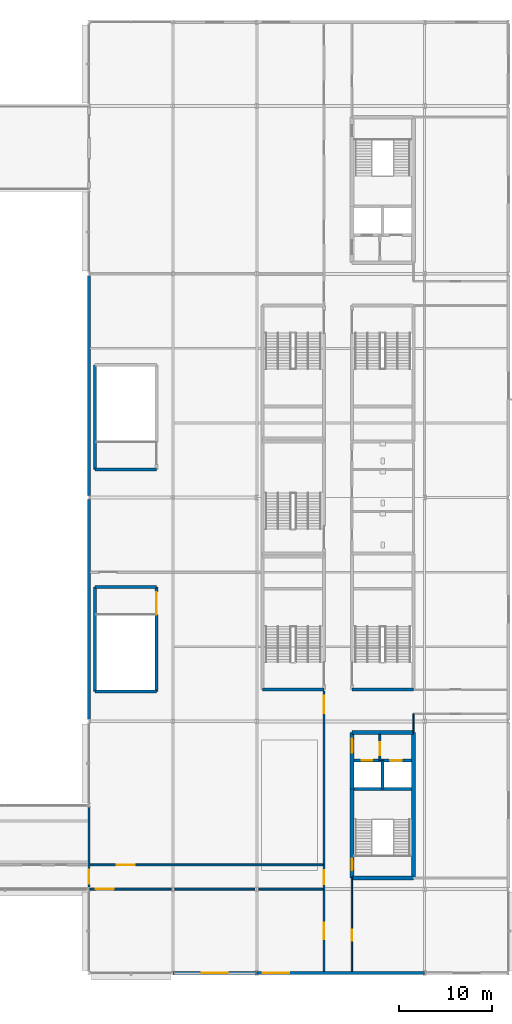
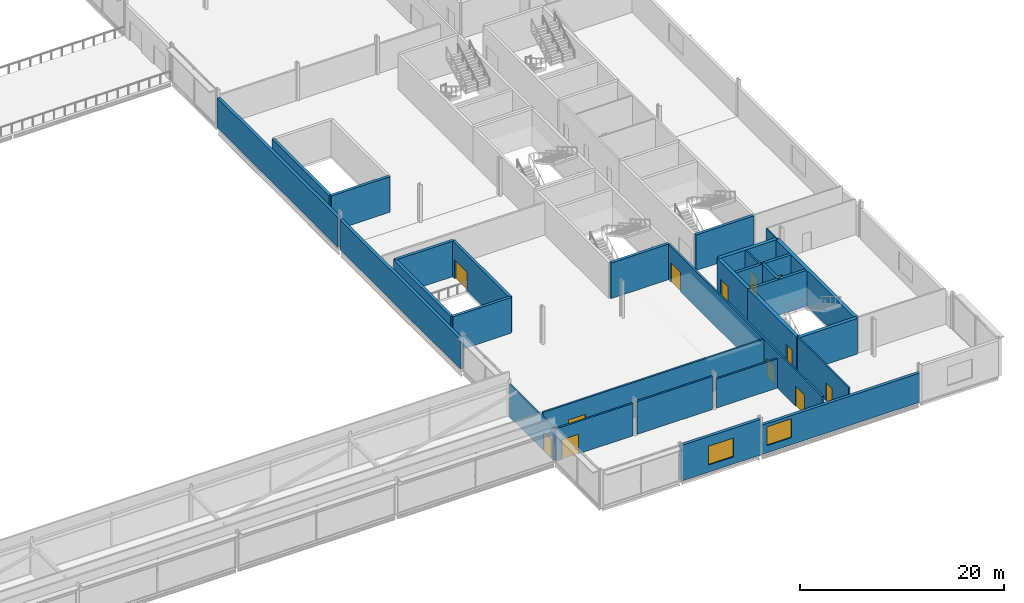
# One storey, part 43 of 73: 30 walls, 13 doors, 2 windows, 15 openings.
"""IFC4 building model written with IfcOpenShell, lengths in metres."""

from ifc_helpers import new_model, si_unit, direction, frame, frame_2d, origin, place, context, subcontext, project, spatial, rectangle, extrude, material, layer, layer_set, type_object, element, fill, save


model = new_model("IFC4")

# Units and contexts
model_context = context("Model", 3, precision=1e-05, world=origin(), true_north=direction((0.0, 1.0)))
body_context = subcontext(model_context, "Body", "Model", "MODEL_VIEW")
ifc_project = project(units=[si_unit("LENGTHUNIT", "METRE"), si_unit("AREAUNIT", "SQUARE_METRE"), si_unit("VOLUMEUNIT", "CUBIC_METRE"), si_unit("PLANEANGLEUNIT", "RADIAN"), si_unit("MASSUNIT", "GRAM", prefix="KILO")], contexts=[model_context])

# Site, building, storey
site_placement = place(None, origin())
site = spatial("IfcSite", under=ifc_project, at=site_placement, CompositionType="ELEMENT")
building_placement = place(site_placement, origin())
building = spatial("IfcBuilding", under=site, at=building_placement, Name="Kisiwana Market Hall", CompositionType="ELEMENT")
storey_placement = place(building_placement, frame((0.0, 0.0, 33.300048828125)))
storey = spatial("IfcBuildingStorey", under=building, at=storey_placement, Name="L07", CompositionType="ELEMENT", Elevation=33.300048828125)

# Wall, opening, door
ifc_material_1 = material(Name="Masonry blockwork", Category="masonry")
ifc_layer_1 = layer(ifc_material_1, 0.199951171875, Name="Plastered fire compartment block wall")
ifc_layer_set_1 = layer_set([ifc_layer_1], Name="WL-COMP-200")
wall_type_1 = type_object("IfcWallType", Name="WL-COMP-200", PredefinedType="PARTITIONING", material=ifc_layer_set_1)
wall_1_placement = place(storey_placement, frame((184.199951171875, 31.820068359375, 0.0), z_axis=(0.0, 0.0, 1.0), x_axis=(0.0, 1.0, 0.0)))
wall_1 = element("IfcWall", 1, at=wall_1_placement, inside=storey, type_object=wall_type_1, Name="Core E2 firefighting lobby wall W-2206", PredefinedType="PARTITIONING", context=body_context, shape_type="SweptSolid", body=[
    extrude(rectangle(XDim=2.780029296875, YDim=0.199951171875, at=frame_2d((1.39013671875, 0.0))), origin(), (0.0, 0.0, 1.0), 4.2548828125),
])
opening_1_placement = place(wall_1_placement, frame((0.550048828125, 0.0, 0.0)))
opening_1 = element("IfcOpeningElement", 2, at=opening_1_placement, cuts=wall_1, Name="Opening DR-L07-009", PredefinedType="OPENING", context=body_context, shape_type="SweptSolid", body=[
    extrude(rectangle(XDim=1.39990234375, YDim=2.25, at=frame_2d((0.699951171875, 1.125))), frame((0.0, 0.11181640625, 0.0), z_axis=(0.0, -1.0, 0.0), x_axis=(1.0, 0.0, 0.0)), (0.0, 0.0, 1.0), 0.223876953125),
])
ifc_material_2 = material(Name="Steel S275", Category="steel")
door_type_1 = type_object("IfcDoorType", Name="DR-FFLOB-FD120-1400", OperationType="DOUBLE_DOOR_SINGLE_SWING", PredefinedType="DOOR", material=ifc_material_2)
door_1_placement = place(opening_1_placement, origin())
door_1 = element("IfcDoor", 3, at=door_1_placement, inside=storey, type_object=door_type_1, Name="Firefighting Lift Lobby E2 Door (L07)", OperationType="DOUBLE_DOOR_SINGLE_SWING", OverallHeight=2.25, OverallWidth=1.39990234375, PredefinedType="DOOR", context=body_context, shape_type="SweptSolid", body=[
    extrude(rectangle(XDim=1.39990234375, YDim=2.25, at=frame_2d((0.699951171875, 1.125))), frame((0.0, 0.02490234375, 0.0), z_axis=(0.0, -1.0, 0.0), x_axis=(1.0, 0.0, 0.0)), (0.0, 0.0, 1.0), 0.050048828125),
])
fill(opening_1, door_1)

wall_2_placement = place(storey_placement, frame((153.0849609375, 18.0, 0.0), z_axis=(0.0, 0.0, 1.0), x_axis=(1.0, 0.0, 0.0)))
wall_2 = element("IfcWall", 4, at=wall_2_placement, inside=storey, type_object=wall_type_1, Name="Interior partition W-2247", PredefinedType="PARTITIONING", context=body_context, shape_type="SweptSolid", body=[
    extrude(rectangle(XDim=8.715087890625, YDim=0.199951171875, at=frame_2d((4.357421875, 0.0))), origin(), (0.0, 0.0, 1.0), 3.87158203125),
])
opening_2_placement = place(wall_2_placement, frame((0.64990234375, 0.0, 0.0)))
opening_2 = element("IfcOpeningElement", 5, at=opening_2_placement, cuts=wall_2, Name="Opening DR-L07-054", PredefinedType="OPENING", context=body_context, shape_type="SweptSolid", body=[
    extrude(rectangle(XDim=1.89990234375, YDim=2.35009765625, at=frame_2d((0.949951171875, 1.175048828125))), frame((0.0, 0.11181640625, 0.0), z_axis=(0.0, -1.0, 0.0), x_axis=(1.0, 0.0, 0.0)), (0.0, 0.0, 1.0), 0.223876953125),
])
ifc_material_3 = material(Name="Steel S275", Category="steel")
door_type_2 = type_object("IfcDoorType", Name="DR-HALL-1900", OperationType="DOUBLE_DOOR_SINGLE_SWING", PredefinedType="DOOR", material=ifc_material_3)
door_2_placement = place(opening_2_placement, frame((1.89990234375, 0.0, 0.0), z_axis=(0.0, 0.0, 1.0), x_axis=(-1.0, 0.0, 0.0)))
door_2 = element("IfcDoor", 6, at=door_2_placement, inside=storey, type_object=door_type_2, Name="L07 E Skybridge Collaboration Lounge Exit Door", OperationType="DOUBLE_DOOR_SINGLE_SWING", OverallHeight=2.35009765625, OverallWidth=1.89990234375, PredefinedType="DOOR", context=body_context, shape_type="SweptSolid", body=[
    extrude(rectangle(XDim=1.89990234375, YDim=2.35009765625, at=frame_2d((0.949951171875, 1.175048828125))), frame((0.0, 0.02490234375, 0.0), z_axis=(0.0, -1.0, 0.0), x_axis=(1.0, 0.0, 0.0)), (0.0, 0.0, 1.0), 0.050048828125),
])
fill(opening_2, door_2)

# Walls
wall_3_placement = place(storey_placement, frame((162.199951171875, 18.0, 0.0), z_axis=(0.0, 0.0, 1.0), x_axis=(1.0, 0.0, 0.0)))
element("IfcWall", 7, at=wall_3_placement, inside=storey, type_object=wall_type_1, Name="Interior partition W-2248", PredefinedType="PARTITIONING", context=body_context, shape_type="SweptSolid", body=[
    extrude(rectangle(XDim=8.574951171875, YDim=0.199951171875, at=frame_2d((4.28759765625, 0.0))), origin(), (0.0, 0.0, 1.0), 3.95166015625),
])
wall_4_placement = place(storey_placement, frame((171.22509765625, 18.0, 0.0), z_axis=(0.0, 0.0, 1.0), x_axis=(1.0, 0.0, 0.0)))
element("IfcWall", 8, at=wall_4_placement, inside=storey, type_object=wall_type_1, Name="Interior partition W-2249", PredefinedType="PARTITIONING", context=body_context, shape_type="SweptSolid", body=[
    extrude(rectangle(XDim=6.875, YDim=0.199951171875, at=frame_2d((3.4375, 0.0))), origin(), (0.0, 0.0, 1.0), 3.49267578125),
])

# Wall, opening, door
wall_5_placement = place(storey_placement, frame((153.0849609375, 20.60009765625, 0.0), z_axis=(0.0, 0.0, 1.0), x_axis=(1.0, 0.0, 0.0)))
wall_5 = element("IfcWall", 9, at=wall_5_placement, inside=storey, type_object=wall_type_1, Name="Interior partition W-2250", PredefinedType="PARTITIONING", context=body_context, shape_type="SweptSolid", body=[
    extrude(rectangle(XDim=25.01513671875, YDim=0.199951171875, at=frame_2d((12.507568359375, 0.0))), origin(), (0.0, 0.0, 1.0), 4.2548828125),
])
opening_3_placement = place(wall_5_placement, frame((2.89501953125, 0.0, 0.0)))
opening_3 = element("IfcOpeningElement", 10, at=opening_3_placement, cuts=wall_5, Name="Opening DR-L07-055", PredefinedType="OPENING", context=body_context, shape_type="SweptSolid", body=[
    extrude(rectangle(XDim=1.89990234375, YDim=2.35009765625, at=frame_2d((0.949951171875, 1.175048828125))), frame((0.0, 0.11181640625, 0.0), z_axis=(0.0, -1.0, 0.0), x_axis=(1.0, 0.0, 0.0)), (0.0, 0.0, 1.0), 0.223876953125),
])
door_3_placement = place(opening_3_placement, origin())
door_3 = element("IfcDoor", 11, at=door_3_placement, inside=storey, type_object=door_type_2, Name="L07 E Staff Dining Canteen Exit Door", OperationType="DOUBLE_DOOR_SINGLE_SWING", OverallHeight=2.35009765625, OverallWidth=1.89990234375, PredefinedType="DOOR", context=body_context, shape_type="SweptSolid", body=[
    extrude(rectangle(XDim=1.89990234375, YDim=2.35009765625, at=frame_2d((0.949951171875, 1.175048828125))), frame((0.0, 0.02490234375, 0.0), z_axis=(0.0, -1.0, 0.0), x_axis=(1.0, 0.0, 0.0)), (0.0, 0.0, 1.0), 0.050048828125),
])
fill(opening_3, door_3)

# Wall, openings, doors
wall_6_placement = place(storey_placement, frame((178.199951171875, 9.169921875, 0.0), z_axis=(0.0, 0.0, 1.0), x_axis=(0.0, 1.0, 0.0)))
wall_6 = element("IfcWall", 12, at=wall_6_placement, inside=storey, type_object=wall_type_1, Name="Interior partition W-2255", PredefinedType="PARTITIONING", context=body_context, shape_type="SweptSolid", body=[
    extrude(rectangle(XDim=30.070068359375, YDim=0.199951171875, at=frame_2d((15.03515625, 0.0))), origin(), (0.0, 0.0, 1.0), 4.2548828125),
])
opening_4_placement = place(wall_6_placement, frame((3.449951171875, 0.0, 0.0)))
opening_4 = element("IfcOpeningElement", 13, at=opening_4_placement, cuts=wall_6, Name="Opening DR-L07-057", PredefinedType="OPENING", context=body_context, shape_type="SweptSolid", body=[
    extrude(rectangle(XDim=1.760009765625, YDim=2.35009765625, at=frame_2d((0.8798828125, 1.175048828125))), frame((0.0, 0.11181640625, 0.0), z_axis=(0.0, -1.0, 0.0), x_axis=(1.0, 0.0, 0.0)), (0.0, 0.0, 1.0), 0.223876953125),
])
opening_5_placement = place(wall_6_placement, frame((9.3798828125, 0.0, 0.0)))
opening_5 = element("IfcOpeningElement", 14, at=opening_5_placement, cuts=wall_6, Name="Opening DR-L07-058", PredefinedType="OPENING", context=body_context, shape_type="SweptSolid", body=[
    extrude(rectangle(XDim=1.5, YDim=2.199951171875, at=frame_2d((0.75, 1.10009765625))), frame((0.0, 0.11181640625, 0.0), z_axis=(0.0, -1.0, 0.0), x_axis=(1.0, 0.0, 0.0)), (0.0, 0.0, 1.0), 0.223876953125),
])
opening_6_placement = place(wall_6_placement, frame((27.679931640625, 0.0, 0.0)))
opening_6 = element("IfcOpeningElement", 15, at=opening_6_placement, cuts=wall_6, Name="Opening DR-L07-059", PredefinedType="OPENING", context=body_context, shape_type="SweptSolid", body=[
    extrude(rectangle(XDim=1.89990234375, YDim=2.35009765625, at=frame_2d((0.949951171875, 1.175048828125))), frame((0.0, 0.11181640625, 0.0), z_axis=(0.0, -1.0, 0.0), x_axis=(1.0, 0.0, 0.0)), (0.0, 0.0, 1.0), 0.223876953125),
])
ifc_material_4 = material(Name="Steel S275", Category="steel")
door_type_3 = type_object("IfcDoorType", Name="DR-CORR-FD60-1500", OperationType="DOUBLE_DOOR_SINGLE_SWING", PredefinedType="DOOR", material=ifc_material_4)
door_4_placement = place(opening_5_placement, origin())
door_4 = element("IfcDoor", 16, at=door_4_placement, inside=storey, type_object=door_type_3, Name="L07 E South Skybridge Link Corridor Door", OperationType="DOUBLE_DOOR_SINGLE_SWING", OverallHeight=2.199951171875, OverallWidth=1.5, PredefinedType="DOOR", context=body_context, shape_type="SweptSolid", body=[
    extrude(rectangle(XDim=1.5, YDim=2.199951171875, at=frame_2d((0.75, 1.10009765625))), frame((0.0, 0.02490234375, 0.0), z_axis=(0.0, -1.0, 0.0), x_axis=(1.0, 0.0, 0.0)), (0.0, 0.0, 1.0), 0.050048828125),
])
fill(opening_5, door_4)
ifc_material_5 = material(Name="Hardwood timber", Category="wood")
door_type_4 = type_object("IfcDoorType", Name="DR-HALL-1760", OperationType="DOUBLE_DOOR_SINGLE_SWING", PredefinedType="DOOR", material=ifc_material_5)
door_5_placement = place(opening_4_placement, origin())
door_5 = element("IfcDoor", 17, at=door_5_placement, inside=storey, type_object=door_type_4, Name="L07 E Skybridge Collaboration Lounge Door", OperationType="DOUBLE_DOOR_SINGLE_SWING", OverallHeight=2.35009765625, OverallWidth=1.760009765625, PredefinedType="DOOR", context=body_context, shape_type="SweptSolid", body=[
    extrude(rectangle(XDim=1.760009765625, YDim=2.35009765625, at=frame_2d((0.8798828125, 1.175048828125))), frame((0.0, 0.02490234375, 0.0), z_axis=(0.0, -1.0, 0.0), x_axis=(1.0, 0.0, 0.0)), (0.0, 0.0, 1.0), 0.050048828125),
])
fill(opening_4, door_5)
door_6_placement = place(opening_6_placement, origin())
door_6 = element("IfcDoor", 18, at=door_6_placement, inside=storey, type_object=door_type_2, Name="L07 E Staff Dining Canteen Exit Door", OperationType="DOUBLE_DOOR_SINGLE_SWING", OverallHeight=2.35009765625, OverallWidth=1.89990234375, PredefinedType="DOOR", context=body_context, shape_type="SweptSolid", body=[
    extrude(rectangle(XDim=1.89990234375, YDim=2.35009765625, at=frame_2d((0.949951171875, 1.175048828125))), frame((0.0, 0.02490234375, 0.0), z_axis=(0.0, -1.0, 0.0), x_axis=(1.0, 0.0, 0.0)), (0.0, 0.0, 1.0), 0.050048828125),
])
fill(opening_6, door_6)

# Walls
ifc_material_6 = material(Name="Concrete C40/50", Category="concrete")
ifc_layer_2 = layer(ifc_material_6, 0.320068359375, Name="Reinforced concrete shaft wall")
ifc_layer_set_2 = layer_set([ifc_layer_2], Name="WL-CORE-320")
wall_type_2 = type_object("IfcWallType", Name="WL-CORE-320", PredefinedType="SHEAR", material=ifc_layer_set_2)
wall_7_placement = place(storey_placement, frame((181.39990234375, 28.760009765625, 0.0), z_axis=(0.0, 0.0, 1.0), x_axis=(1.0, 0.0, 0.0)))
element("IfcWall", 19, at=wall_7_placement, inside=storey, type_object=wall_type_2, Name="Core E2 shaft back shear wall W-2101", PredefinedType="SHEAR", context=body_context, shape_type="SweptSolid", body=[
    extrude(rectangle(XDim=6.2001953125, YDim=0.320068359375, at=frame_2d((3.10009765625, 0.0))), origin(), (0.0, 0.0, 1.0), 4.2548828125),
])
wall_8_placement = place(storey_placement, frame((184.5, 28.760009765625, 0.0), z_axis=(0.0, 0.0, 1.0), x_axis=(0.0, 1.0, 0.0)))
element("IfcWall", 20, at=wall_8_placement, inside=storey, type_object=wall_type_2, Name="Core E2 inter-shaft shear wall W-2102", PredefinedType="SHEAR", context=body_context, shape_type="SweptSolid", body=[
    extrude(rectangle(XDim=3.06005859375, YDim=0.320068359375, at=frame_2d((1.530029296875, 0.0))), origin(), (0.0, 0.0, 1.0), 4.2548828125),
])

# Wall, opening, door
wall_9_placement = place(storey_placement, frame((181.39990234375, 31.820068359375, 0.0), z_axis=(0.0, 0.0, 1.0), x_axis=(1.0, 0.0, 0.0)))
wall_9 = element("IfcWall", 21, at=wall_9_placement, inside=storey, type_object=wall_type_2, Name="Core E2 west lift front wall W-2103", PredefinedType="SHEAR", context=body_context, shape_type="SweptSolid", body=[
    extrude(rectangle(XDim=3.10009765625, YDim=0.320068359375, at=frame_2d((1.550048828125, 0.0))), origin(), (0.0, 0.0, 1.0), 4.2548828125),
])
opening_7_placement = place(wall_9_placement, frame((0.85009765625, 0.0, 0.0)))
opening_7 = element("IfcOpeningElement", 22, at=opening_7_placement, cuts=wall_9, Name="Opening LD-L07-005", PredefinedType="OPENING", context=body_context, shape_type="SweptSolid", body=[
    extrude(rectangle(XDim=1.14990234375, YDim=2.199951171875, at=frame_2d((0.574951171875, 1.10009765625))), frame((0.0, 0.171875, 0.0), z_axis=(0.0, -1.0, 0.0), x_axis=(1.0, 0.0, 0.0)), (0.0, 0.0, 1.0), 0.343994140625),
])
ifc_material_7 = material(Name="Steel S275", Category="steel")
door_type_5 = type_object("IfcDoorType", Name="DR-LIFT-PAX-1150", OperationType="DOUBLE_DOOR_SLIDING", PredefinedType="DOOR", material=ifc_material_7)
door_7_placement = place(opening_7_placement, origin())
door_7 = element("IfcDoor", 23, at=door_7_placement, inside=storey, type_object=door_type_5, Name="Lift Landing Door LP-03 (L07)", OperationType="DOUBLE_DOOR_SLIDING", OverallHeight=2.199951171875, OverallWidth=1.14990234375, PredefinedType="DOOR", context=body_context, shape_type="SweptSolid", body=[
    extrude(rectangle(XDim=1.14990234375, YDim=2.199951171875, at=frame_2d((0.574951171875, 1.10009765625))), frame((0.0, 0.02490234375, 0.0), z_axis=(0.0, -1.0, 0.0), x_axis=(1.0, 0.0, 0.0)), (0.0, 0.0, 1.0), 0.050048828125),
])
fill(opening_7, door_7)

wall_10_placement = place(storey_placement, frame((184.5, 31.820068359375, 0.0), z_axis=(0.0, 0.0, 1.0), x_axis=(1.0, 0.0, 0.0)))
wall_10 = element("IfcWall", 24, at=wall_10_placement, inside=storey, type_object=wall_type_2, Name="Core E2 east lift front wall W-2104", PredefinedType="SHEAR", context=body_context, shape_type="SweptSolid", body=[
    extrude(rectangle(XDim=3.10009765625, YDim=0.320068359375, at=frame_2d((1.550048828125, 0.0))), origin(), (0.0, 0.0, 1.0), 4.2548828125),
])
opening_8_placement = place(wall_10_placement, frame((0.800048828125, 0.0, 0.0)))
opening_8 = element("IfcOpeningElement", 25, at=opening_8_placement, cuts=wall_10, Name="Opening LD-L07-006", PredefinedType="OPENING", context=body_context, shape_type="SweptSolid", body=[
    extrude(rectangle(XDim=1.25, YDim=2.25, at=frame_2d((0.625, 1.125))), frame((0.0, 0.171875, 0.0), z_axis=(0.0, -1.0, 0.0), x_axis=(1.0, 0.0, 0.0)), (0.0, 0.0, 1.0), 0.343994140625),
])
ifc_material_8 = material(Name="Steel S275", Category="steel")
door_type_6 = type_object("IfcDoorType", Name="DR-LIFT-FFL-1250", OperationType="DOUBLE_DOOR_SLIDING", PredefinedType="DOOR", material=ifc_material_8)
door_8_placement = place(opening_8_placement, origin())
door_8 = element("IfcDoor", 26, at=door_8_placement, inside=storey, type_object=door_type_6, Name="Lift Landing Door FFL-03 (L07)", OperationType="DOUBLE_DOOR_SLIDING", OverallHeight=2.25, OverallWidth=1.25, PredefinedType="DOOR", context=body_context, shape_type="SweptSolid", body=[
    extrude(rectangle(XDim=1.25, YDim=2.25, at=frame_2d((0.625, 1.125))), frame((0.0, 0.02490234375, 0.0), z_axis=(0.0, -1.0, 0.0), x_axis=(1.0, 0.0, 0.0)), (0.0, 0.0, 1.0), 0.050048828125),
])
fill(opening_8, door_8)

# Walls
wall_11_placement = place(storey_placement, frame((181.199951171875, 39.39990234375, 0.0), z_axis=(0.0, 0.0, 1.0), x_axis=(1.0, 0.0, 0.0)))
element("IfcWall", 27, at=wall_11_placement, inside=storey, type_object=wall_type_2, Name="Core E3 south shear wall W-2124", PredefinedType="SHEAR", context=body_context, shape_type="SweptSolid", body=[
    extrude(rectangle(XDim=6.60009765625, YDim=0.320068359375, at=frame_2d((3.300048828125, 0.0))), origin(), (0.0, 0.0, 1.0), 4.2548828125),
])
wall_12_placement = place(storey_placement, frame((171.60009765625, 39.39990234375, 0.0), z_axis=(0.0, 0.0, 1.0), x_axis=(1.0, 0.0, 0.0)))
element("IfcWall", 28, at=wall_12_placement, inside=storey, type_object=wall_type_2, Name="Core E7 south shear wall W-2139", PredefinedType="SHEAR", context=body_context, shape_type="SweptSolid", body=[
    extrude(rectangle(XDim=6.599853515625, YDim=0.320068359375, at=frame_2d((3.2998046875, 0.0))), origin(), (0.0, 0.0, 1.0), 4.2548828125),
])
for number, where, z_axis, x_axis, name in (
    (29, (153.6298828125, 39.199951171875, 0.0), (0.0, 0.0, 1.0), (1.0, 0.0, 0.0), "Core E9 south shear wall W-2158"),
    (30, (153.6298828125, 50.39990234375, 0.0), (0.0, 0.0, 1.0), (1.0, 0.0, 0.0), "Core E9 north shear wall W-2159"),
):
    element("IfcWall", number, at=place(storey_placement, frame(where, z_axis=z_axis, x_axis=x_axis)), inside=storey, type_object=wall_type_2, Name=name, PredefinedType="SHEAR", context=body_context, shape_type="SweptSolid", body=[
        extrude(rectangle(XDim=6.60009765625, YDim=0.320068359375, at=frame_2d((3.300048828125, 0.0))), origin(), (0.0, 0.0, 1.0), 4.2548828125),
    ])
wall_13_placement = place(storey_placement, frame((153.6298828125, 39.199951171875, 0.0), z_axis=(0.0, 0.0, 1.0), x_axis=(0.0, 1.0, 0.0)))
element("IfcWall", 31, at=wall_13_placement, inside=storey, type_object=wall_type_2, Name="Core E9 outer shear wall W-2160", PredefinedType="SHEAR", context=body_context, shape_type="SweptSolid", body=[
    extrude(rectangle(XDim=11.199951171875, YDim=0.320068359375, at=frame_2d((5.60009765625, 0.0))), origin(), (0.0, 0.0, 1.0), 4.2548828125),
])

# Wall, opening, door
wall_14_placement = place(storey_placement, frame((160.22998046875, 39.199951171875, 0.0), z_axis=(0.0, 0.0, 1.0), x_axis=(0.0, 1.0, 0.0)))
wall_14 = element("IfcWall", 32, at=wall_14_placement, inside=storey, type_object=wall_type_2, Name="Core E9 corridor shear wall W-2161", PredefinedType="SHEAR", context=body_context, shape_type="SweptSolid", body=[
    extrude(rectangle(XDim=11.199951171875, YDim=0.320068359375, at=frame_2d((5.60009765625, 0.0))), origin(), (0.0, 0.0, 1.0), 4.2548828125),
])
opening_9_placement = place(wall_14_placement, frame((8.25, 0.0, 0.0)))
opening_9 = element("IfcOpeningElement", 33, at=opening_9_placement, cuts=wall_14, Name="Opening DR-L07-022", PredefinedType="OPENING", context=body_context, shape_type="SweptSolid", body=[
    extrude(rectangle(XDim=2.39990234375, YDim=2.25, at=frame_2d((1.199951171875, 1.125))), frame((0.0, 0.171875, 0.0), z_axis=(0.0, -1.0, 0.0), x_axis=(1.0, 0.0, 0.0)), (0.0, 0.0, 1.0), 0.343994140625),
])
ifc_material_9 = material(Name="Steel S275", Category="steel")
door_type_7 = type_object("IfcDoorType", Name="DR-STAIR-FD120-2400", OperationType="DOUBLE_DOOR_SINGLE_SWING", PredefinedType="DOOR", material=ifc_material_9)
door_9_placement = place(opening_9_placement, origin())
door_9 = element("IfcDoor", 34, at=door_9_placement, inside=storey, type_object=door_type_7, Name="Escape Stair E9 Fire Door (L07)", OperationType="DOUBLE_DOOR_SINGLE_SWING", OverallHeight=2.25, OverallWidth=2.39990234375, PredefinedType="DOOR", context=body_context, shape_type="SweptSolid", body=[
    extrude(rectangle(XDim=2.39990234375, YDim=2.25, at=frame_2d((1.199951171875, 1.125))), frame((0.0, 0.02490234375, 0.0), z_axis=(0.0, -1.0, 0.0), x_axis=(1.0, 0.0, 0.0)), (0.0, 0.0, 1.0), 0.050048828125),
])
fill(opening_9, door_9)

# Walls
wall_15_placement = place(storey_placement, frame((153.6298828125, 63.0, 0.0), z_axis=(0.0, 0.0, 1.0), x_axis=(1.0, 0.0, 0.0)))
element("IfcWall", 35, at=wall_15_placement, inside=storey, type_object=wall_type_2, Name="Core E10 south shear wall W-2166", PredefinedType="SHEAR", context=body_context, shape_type="SweptSolid", body=[
    extrude(rectangle(XDim=6.60009765625, YDim=0.320068359375, at=frame_2d((3.300048828125, 0.0))), origin(), (0.0, 0.0, 1.0), 4.2548828125),
])
wall_16_placement = place(storey_placement, frame((153.6298828125, 63.0, 0.0), z_axis=(0.0, 0.0, 1.0), x_axis=(0.0, 1.0, 0.0)))
element("IfcWall", 36, at=wall_16_placement, inside=storey, type_object=wall_type_2, Name="Core E10 outer shear wall W-2168", PredefinedType="SHEAR", context=body_context, shape_type="SweptSolid", body=[
    extrude(rectangle(XDim=11.199951171875, YDim=0.320068359375, at=frame_2d((5.60009765625, 0.0))), origin(), (0.0, 0.0, 1.0), 4.2548828125),
])
ifc_material_10 = material(Name="Concrete C40/50", Category="concrete")
ifc_layer_3 = layer(ifc_material_10, 0.39990234375, Name="Reinforced concrete core wall")
ifc_layer_set_3 = layer_set([ifc_layer_3], Name="WL-CORE-400")
wall_type_3 = type_object("IfcWallType", Name="WL-CORE-400", PredefinedType="SHEAR", material=ifc_layer_set_3)
for number, where, z_axis, x_axis, name in (
    (37, (181.199951171875, 19.199951171875, 0.0), (0.0, 0.0, 1.0), (1.0, 0.0, 0.0), "Core E2 south shear wall W-2096"),
    (38, (181.199951171875, 34.800048828125, 0.0), (0.0, 0.0, 1.0), (1.0, 0.0, 0.0), "Core E2 north shear wall W-2097"),
):
    element("IfcWall", number, at=place(storey_placement, frame(where, z_axis=z_axis, x_axis=x_axis)), inside=storey, type_object=wall_type_3, Name=name, PredefinedType="SHEAR", context=body_context, shape_type="SweptSolid", body=[
        extrude(rectangle(XDim=6.60009765625, YDim=0.39990234375, at=frame_2d((3.300048828125, 0.0))), origin(), (0.0, 0.0, 1.0), 4.2548828125),
    ])
wall_17_placement = place(storey_placement, frame((187.800048828125, 19.199951171875, 0.0), z_axis=(0.0, 0.0, 1.0), x_axis=(0.0, 1.0, 0.0)))
element("IfcWall", 39, at=wall_17_placement, inside=storey, type_object=wall_type_3, Name="Core E2 outer shear wall W-2098", PredefinedType="SHEAR", context=body_context, shape_type="SweptSolid", body=[
    extrude(rectangle(XDim=15.60009765625, YDim=0.39990234375, at=frame_2d((7.800048828125, 0.0))), origin(), (0.0, 0.0, 1.0), 4.2548828125),
])

# Wall, opening, door
wall_18_placement = place(storey_placement, frame((181.199951171875, 19.199951171875, 0.0), z_axis=(0.0, 0.0, 1.0), x_axis=(0.0, 1.0, 0.0)))
wall_18 = element("IfcWall", 40, at=wall_18_placement, inside=storey, type_object=wall_type_3, Name="Core E2 stair corridor shear wall W-2099", PredefinedType="SHEAR", context=body_context, shape_type="SweptSolid", body=[
    extrude(rectangle(XDim=9.56005859375, YDim=0.39990234375, at=frame_2d((4.780029296875, 0.0))), origin(), (0.0, 0.0, 1.0), 4.2548828125),
])
opening_10_placement = place(wall_18_placement, frame((0.85009765625, 0.0, 0.0)))
opening_10 = element("IfcOpeningElement", 41, at=opening_10_placement, cuts=wall_18, Name="Opening DR-L07-007", PredefinedType="OPENING", context=body_context, shape_type="SweptSolid", body=[
    extrude(rectangle(XDim=1.199951171875, YDim=2.199951171875, at=frame_2d((0.60009765625, 1.10009765625))), frame((0.0, 0.2119140625, 0.0), z_axis=(0.0, -1.0, 0.0), x_axis=(1.0, 0.0, 0.0)), (0.0, 0.0, 1.0), 0.423828125),
])
ifc_material_11 = material(Name="Steel S275", Category="steel")
door_type_8 = type_object("IfcDoorType", Name="DR-STAIR-FD120-1200", OperationType="NOTDEFINED", PredefinedType="DOOR", material=ifc_material_11)
door_10_placement = place(opening_10_placement, frame((1.199951171875, 0.0, 0.0), z_axis=(0.0, 0.0, 1.0), x_axis=(-1.0, 0.0, 0.0)))
door_10 = element("IfcDoor", 42, at=door_10_placement, inside=storey, type_object=door_type_8, Name="Escape Stair E2 Fire Door (L07)", OperationType="SINGLE_SWING_RIGHT", OverallHeight=2.199951171875, OverallWidth=1.199951171875, PredefinedType="DOOR", context=body_context, shape_type="SweptSolid", body=[
    extrude(rectangle(XDim=1.199951171875, YDim=2.199951171875, at=frame_2d((0.60009765625, 1.10009765625))), frame((0.0, 0.02490234375, 0.0), z_axis=(0.0, -1.0, 0.0), x_axis=(1.0, 0.0, 0.0)), (0.0, 0.0, 1.0), 0.050048828125),
])
fill(opening_10, door_10)

wall_19_placement = place(storey_placement, frame((181.199951171875, 28.760009765625, 0.0), z_axis=(0.0, 0.0, 1.0), x_axis=(0.0, 1.0, 0.0)))
wall_19 = element("IfcWall", 43, at=wall_19_placement, inside=storey, type_object=wall_type_3, Name="Core E2 lobby corridor shear wall W-2100", PredefinedType="SHEAR", context=body_context, shape_type="SweptSolid", body=[
    extrude(rectangle(XDim=6.0400390625, YDim=0.39990234375, at=frame_2d((3.02001953125, 0.0))), origin(), (0.0, 0.0, 1.0), 4.2548828125),
])
opening_11_placement = place(wall_19_placement, frame((3.85009765625, 0.0, 0.0)))
opening_11 = element("IfcOpeningElement", 44, at=opening_11_placement, cuts=wall_19, Name="Opening DR-L07-008", PredefinedType="OPENING", context=body_context, shape_type="SweptSolid", body=[
    extrude(rectangle(XDim=1.5, YDim=2.199951171875, at=frame_2d((0.75, 1.10009765625))), frame((0.0, 0.2119140625, 0.0), z_axis=(0.0, -1.0, 0.0), x_axis=(1.0, 0.0, 0.0)), (0.0, 0.0, 1.0), 0.423828125),
])
door_11_placement = place(opening_11_placement, origin())
door_11 = element("IfcDoor", 45, at=door_11_placement, inside=storey, type_object=door_type_3, Name="Passenger Lift Lobby E2 Smoke Door (L07)", OperationType="DOUBLE_DOOR_SINGLE_SWING", OverallHeight=2.199951171875, OverallWidth=1.5, PredefinedType="DOOR", context=body_context, shape_type="SweptSolid", body=[
    extrude(rectangle(XDim=1.5, YDim=2.199951171875, at=frame_2d((0.75, 1.10009765625))), frame((0.0, 0.02490234375, 0.0), z_axis=(0.0, -1.0, 0.0), x_axis=(1.0, 0.0, 0.0)), (0.0, 0.0, 1.0), 0.050048828125),
])
fill(opening_11, door_11)

ifc_material_12 = material(Name="Masonry blockwork", Category="masonry")
ifc_layer_4 = layer(ifc_material_12, 0.169921875, Name="Protected corridor partition")
ifc_layer_set_4 = layer_set([ifc_layer_4], Name="WL-CORR-170")
wall_type_4 = type_object("IfcWallType", Name="WL-CORR-170", PredefinedType="PARTITIONING", material=ifc_layer_set_4)
wall_20_placement = place(storey_placement, frame((181.199951171875, 9.169921875, 0.0), z_axis=(0.0, 0.0, 1.0), x_axis=(0.0, 1.0, 0.0)))
wall_20 = element("IfcWall", 46, at=wall_20_placement, inside=storey, type_object=wall_type_4, Name="Interior partition W-2245", PredefinedType="PARTITIONING", context=body_context, shape_type="SweptSolid", body=[
    extrude(rectangle(XDim=10.030029296875, YDim=0.169921875, at=frame_2d((5.01513671875, 0.0))), origin(), (0.0, 0.0, 1.0), 4.2548828125),
])
opening_12_placement = place(wall_20_placement, frame((3.300048828125, 0.0, 0.0)))
opening_12 = element("IfcOpeningElement", 47, at=opening_12_placement, cuts=wall_20, Name="Opening DR-L07-052", PredefinedType="OPENING", context=body_context, shape_type="SweptSolid", body=[
    extrude(rectangle(XDim=1.14990234375, YDim=2.14990234375, at=frame_2d((0.574951171875, 1.074951171875))), frame((0.0, 0.096923828125, 0.0), z_axis=(0.0, -1.0, 0.0), x_axis=(1.0, 0.0, 0.0)), (0.0, 0.0, 1.0), 0.19384765625),
])
ifc_material_13 = material(Name="Aluminium alloy 6063-T6", Category="aluminium")
door_type_9 = type_object("IfcDoorType", Name="DR-MEET-1150", OperationType="NOTDEFINED", PredefinedType="DOOR", material=ifc_material_13)
door_12_placement = place(opening_12_placement, frame((1.14990234375, 0.0, 0.0), z_axis=(0.0, 0.0, 1.0), x_axis=(-1.0, 0.0, 0.0)))
door_12 = element("IfcDoor", 48, at=door_12_placement, inside=storey, type_object=door_type_9, Name="L07 E Corner Office Suite South Door", OperationType="SINGLE_SWING_RIGHT", OverallHeight=2.14990234375, OverallWidth=1.14990234375, PredefinedType="DOOR", context=body_context, shape_type="SweptSolid", body=[
    extrude(rectangle(XDim=1.14990234375, YDim=2.14990234375, at=frame_2d((0.574951171875, 1.074951171875))), frame((0.0, 0.02490234375, 0.0), z_axis=(0.0, -1.0, 0.0), x_axis=(1.0, 0.0, 0.0)), (0.0, 0.0, 1.0), 0.050048828125),
])
fill(opening_12, door_12)

wall_21_placement = place(storey_placement, frame((153.0, 18.219970703125, 0.0), z_axis=(0.0, 0.0, 1.0), x_axis=(0.0, 1.0, 0.0)))
wall_21 = element("IfcWall", 49, at=wall_21_placement, inside=storey, type_object=wall_type_4, Name="Interior partition W-2257", PredefinedType="PARTITIONING", context=body_context, shape_type="SweptSolid", body=[
    extrude(rectangle(XDim=8.56005859375, YDim=0.169921875, at=frame_2d((4.280029296875, 0.0))), origin(), (0.0, 0.0, 1.0), 3.925048828125),
])
opening_13_placement = place(wall_21_placement, frame((0.3798828125, 0.0, 0.0)))
opening_13 = element("IfcOpeningElement", 50, at=opening_13_placement, cuts=wall_21, Name="Opening DR-L07-065", PredefinedType="OPENING", context=body_context, shape_type="SweptSolid", body=[
    extrude(rectangle(XDim=1.5, YDim=2.199951171875, at=frame_2d((0.75, 1.10009765625))), frame((0.0, 0.096923828125, 0.0), z_axis=(0.0, -1.0, 0.0), x_axis=(1.0, 0.0, 0.0)), (0.0, 0.0, 1.0), 0.19384765625),
])
door_13_placement = place(opening_13_placement, origin())
door_13 = element("IfcDoor", 51, at=door_13_placement, inside=storey, type_object=door_type_3, Name="L07 E South Skybridge Spine Door", OperationType="DOUBLE_DOOR_SINGLE_SWING", OverallHeight=2.199951171875, OverallWidth=1.5, PredefinedType="DOOR", context=body_context, shape_type="SweptSolid", body=[
    extrude(rectangle(XDim=1.5, YDim=2.199951171875, at=frame_2d((0.75, 1.10009765625))), frame((0.0, 0.02490234375, 0.0), z_axis=(0.0, -1.0, 0.0), x_axis=(1.0, 0.0, 0.0)), (0.0, 0.0, 1.0), 0.050048828125),
])
fill(opening_13, door_13)

# Wall, opening, window
ifc_material_14 = material(Name="Concrete C40/50 precast", Category="concrete")
ifc_layer_5 = layer(ifc_material_14, 0.14990234375, Name="Precast architectural concrete spandrel")
ifc_material_15 = material(Name="Mineral wool insulation")
ifc_layer_6 = layer(ifc_material_15, 0.090087890625, Name="Rockwool thermal insulation")
ifc_material_16 = material(Name="Masonry blockwork", Category="masonry")
ifc_layer_7 = layer(ifc_material_16, 0.10009765625, Name="Inner masonry block leaf")
ifc_layer_set_5 = layer_set([ifc_layer_5, ifc_layer_6, ifc_layer_7], Name="WL-EXT-PREC-340")
wall_type_5 = type_object("IfcWallType", Name="WL-EXT-PREC-340", PredefinedType="STANDARD", material=ifc_layer_set_5)
wall_22_placement = place(storey_placement, frame((162.010009765625, 9.0, 0.0), z_axis=(0.0, 0.0, 1.0), x_axis=(1.0, 0.0, 0.0)))
wall_22 = element("IfcWall", 52, at=wall_22_placement, inside=storey, type_object=wall_type_5, Name="Exterior wall W-2180", PredefinedType="STANDARD", context=body_context, shape_type="SweptSolid", body=[
    extrude(rectangle(XDim=8.97998046875, YDim=0.340087890625, at=frame_2d((4.489990234375, 0.0))), origin(), (0.0, 0.0, 1.0), 4.2548828125),
])
opening_14_placement = place(wall_22_placement, frame((3.090087890625, 0.0, 0.85009765625)))
opening_14 = element("IfcOpeningElement", 53, at=opening_14_placement, cuts=wall_22, Name="Opening WN-03", PredefinedType="OPENING", context=body_context, shape_type="SweptSolid", body=[
    extrude(rectangle(XDim=2.800048828125, YDim=2.25, at=frame_2d((1.39990234375, 1.125))), frame((0.0, 0.18212890625, 0.0), z_axis=(0.0, -1.0, 0.0), x_axis=(1.0, 0.0, 0.0)), (0.0, 0.0, 1.0), 0.364013671875),
])
ifc_material_17 = material(Name="Double-glazed solar-control low-E IGU", Category="glass")
window_type = type_object("IfcWindowType", Name="WN-SKYB-2800x2250", PartitioningType="SINGLE_PANEL", PredefinedType="WINDOW", material=ifc_material_17)
window_1_placement = place(opening_14_placement, origin())
window_1 = element("IfcWindow", 54, at=window_1_placement, inside=storey, type_object=window_type, Name="Exterior window WN-212", OverallHeight=2.25, OverallWidth=2.800048828125, PartitioningType="SINGLE_PANEL", PredefinedType="WINDOW", context=body_context, shape_type="SweptSolid", body=[
    extrude(rectangle(XDim=2.800048828125, YDim=2.25, at=frame_2d((1.39990234375, 1.125))), frame((0.0, 0.030029296875, 0.0), z_axis=(0.0, -1.0, 0.0), x_axis=(1.0, 0.0, 0.0)), (0.0, 0.0, 1.0), 0.06005859375),
])
fill(opening_14, window_1)

wall_23_placement = place(storey_placement, frame((171.010009765625, 9.0, 0.0), z_axis=(0.0, 0.0, 1.0), x_axis=(1.0, 0.0, 0.0)))
wall_23 = element("IfcWall", 55, at=wall_23_placement, inside=storey, type_object=wall_type_5, Name="Exterior wall W-2181", PredefinedType="STANDARD", context=body_context, shape_type="SweptSolid", body=[
    extrude(rectangle(XDim=17.97998046875, YDim=0.340087890625, at=frame_2d((8.989990234375, 0.0))), origin(), (0.0, 0.0, 1.0), 3.49267578125),
])
opening_15_placement = place(wall_23_placement, frame((0.64990234375, 0.0, 0.85009765625)))
opening_15 = element("IfcOpeningElement", 56, at=opening_15_placement, cuts=wall_23, Name="Opening WN-03", PredefinedType="OPENING", context=body_context, shape_type="SweptSolid", body=[
    extrude(rectangle(XDim=2.800048828125, YDim=2.25, at=frame_2d((1.39990234375, 1.125))), frame((0.0, 0.18212890625, 0.0), z_axis=(0.0, -1.0, 0.0), x_axis=(1.0, 0.0, 0.0)), (0.0, 0.0, 1.0), 0.364013671875),
])
window_2_placement = place(opening_15_placement, origin())
window_2 = element("IfcWindow", 57, at=window_2_placement, inside=storey, type_object=window_type, Name="Exterior window WN-213", OverallHeight=2.25, OverallWidth=2.800048828125, PartitioningType="SINGLE_PANEL", PredefinedType="WINDOW", context=body_context, shape_type="SweptSolid", body=[
    extrude(rectangle(XDim=2.800048828125, YDim=2.25, at=frame_2d((1.39990234375, 1.125))), frame((0.0, 0.030029296875, 0.0), z_axis=(0.0, -1.0, 0.0), x_axis=(1.0, 0.0, 0.0)), (0.0, 0.0, 1.0), 0.06005859375),
])
fill(opening_15, window_2)

# Walls
for number, where, z_axis, x_axis, name in (
    (58, (153.0, 36.197998046875, 0.0), (0.0, 0.0, 1.0), (0.0, 1.0, 0.0), "Exterior wall W-2196"),
    (59, (153.0, 60.197998046875, 0.0), (0.0, 0.0, 1.0), (0.0, 1.0, 0.0), "Exterior wall W-2197"),
):
    element("IfcWall", number, at=place(storey_placement, frame(where, z_axis=z_axis, x_axis=x_axis)), inside=storey, type_object=wall_type_5, Name=name, PredefinedType="STANDARD", context=body_context, shape_type="SweptSolid", body=[
        extrude(rectangle(XDim=23.60400390625, YDim=0.340087890625, at=frame_2d((11.802001953125, 0.0))), origin(), (0.0, 0.0, 1.0), 3.562744140625),
    ])
ifc_material_18 = material(Name="Gypsum plasterboard")
ifc_layer_8 = layer(ifc_material_18, 0.125, Name="Double gypsum board + acoustic stud")
ifc_layer_set_6 = layer_set([ifc_layer_8], Name="WL-OFF-125")
wall_type_6 = type_object("IfcWallType", Name="WL-OFF-125", PredefinedType="PARTITIONING", material=ifc_layer_set_6)
wall_24_placement = place(storey_placement, frame((187.800048828125, 34.800048828125, 0.0), z_axis=(0.0, 0.0, 1.0), x_axis=(0.0, 1.0, 0.0)))
element("IfcWall", 60, at=wall_24_placement, inside=storey, type_object=wall_type_6, Name="Interior partition W-2237", PredefinedType="PARTITIONING", context=body_context, shape_type="SweptSolid", body=[
    extrude(rectangle(XDim=2.0, YDim=0.125, at=frame_2d((1.0, 0.0))), origin(), (0.0, 0.0, 1.0), 4.2548828125),
])

save(model, "model.ifc")
